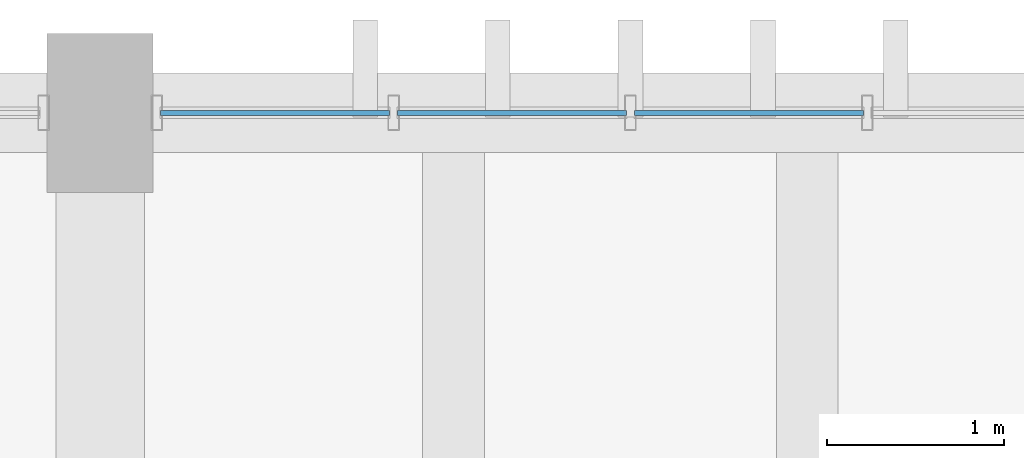
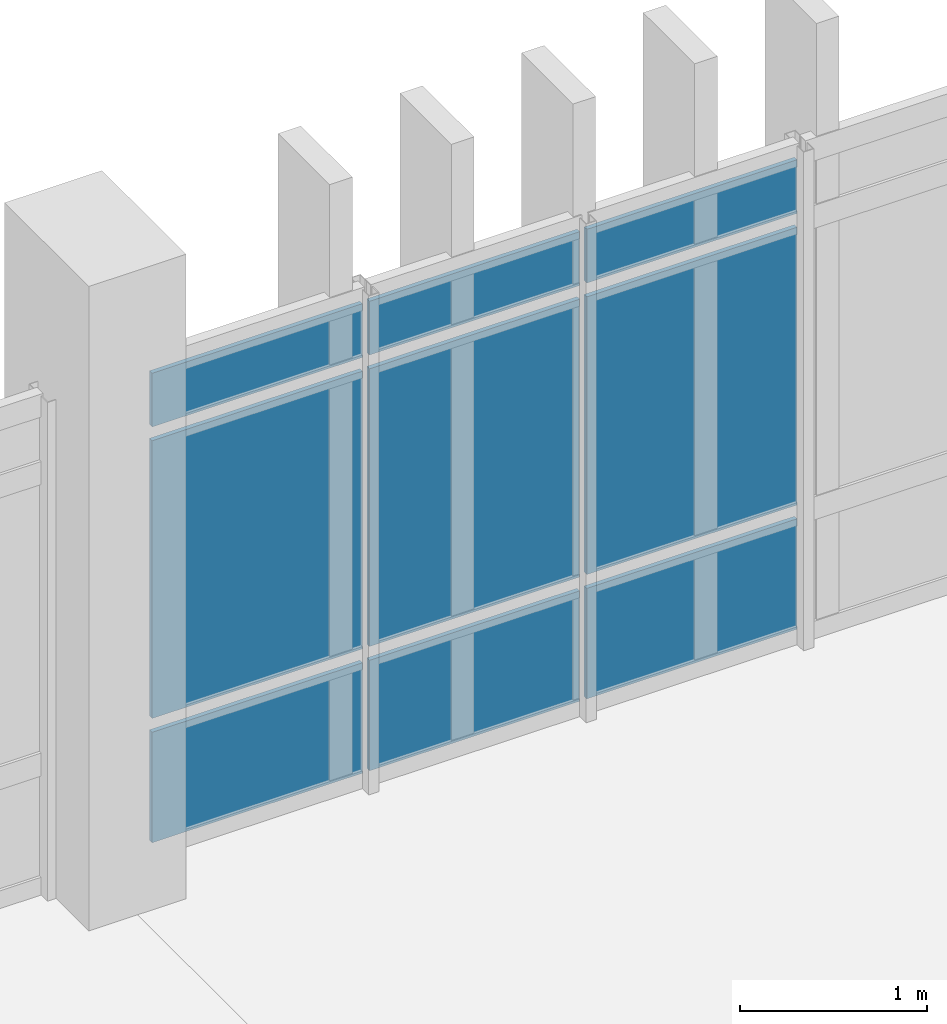
# One storey, part 135 of 161: 9 plates, 1 element without a shape of its own.
"""IFC4 building model written with IfcOpenShell, lengths in metres."""

from ifc_helpers import new_model, si_unit, direction, frame, origin, origin_2d, place, context, subcontext, project, spatial, rectangle, extrude, material, layer, layer_set, type_object, element, aggregate, save


model = new_model("IFC4")

# Units and contexts
model_context = context("Model", 3, precision=1e-05, world=origin(), true_north=direction((0.0, 1.0)))
body_context = subcontext(model_context, "Body", "Model", "MODEL_VIEW")
ifc_project = project(units=[si_unit("LENGTHUNIT", "METRE"), si_unit("AREAUNIT", "SQUARE_METRE"), si_unit("VOLUMEUNIT", "CUBIC_METRE"), si_unit("PLANEANGLEUNIT", "RADIAN"), si_unit("MASSUNIT", "GRAM", prefix="KILO")], contexts=[model_context])

# Site, building, storey
site_placement = place(None, origin())
site = spatial("IfcSite", under=ifc_project, at=site_placement, CompositionType="ELEMENT")
building_placement = place(site_placement, origin())
building = spatial("IfcBuilding", under=site, at=building_placement, Name="Mersad Railyard Sports Hall", CompositionType="ELEMENT")
storey_placement = place(building_placement, frame((0.0, 0.0, 4.800048828125)))
storey = spatial("IfcBuildingStorey", under=building, at=storey_placement, Name="L01", CompositionType="ELEMENT", Elevation=4.800048828125)

# Curtain wall, plates
ifc_material_1 = material(Name="Aluminium 6063-T6", Category="aluminium")
ifc_layer_1 = layer(ifc_material_1, 0.199951171875)
ifc_layer_set_1 = layer_set([ifc_layer_1], Name="Aluminium 6063-T6")
curtain_wall_type = type_object("IfcCurtainWallType", Name="ARC-CW-CW36", PredefinedType="USERDEFINED", material=ifc_layer_set_1)
curtain_wall_placement = place(storey_placement, origin())
curtain_wall = element("IfcCurtainWall", 1, at=curtain_wall_placement, inside=storey, type_object=curtain_wall_type, Name="Curtain wall CW36-0100", ObjectType="CURTAIN WALL", PredefinedType="USERDEFINED")
ifc_material_2 = material(Name="Solar-control glass", Category="glass")
ifc_layer_2 = layer(ifc_material_2, 0.028076171875)
ifc_layer_set_2 = layer_set([ifc_layer_2], Name="Solar-control glass")
plate_type = type_object("IfcPlateType", Name="ARC-CW-PNL01", PredefinedType="CURTAIN_PANEL", material=ifc_layer_set_2)
plate_1_placement = place(storey_placement, frame((131.989990234375, 115.0, 0.0849609375), z_axis=(0.0, 0.0, 1.0), x_axis=(1.0, 0.0, 0.0)))
plate_1 = element("IfcPlate", 2, at=plate_1_placement, type_object=plate_type, Name="CW36 Glazed panel 1-1", PredefinedType="CURTAIN_PANEL", context=body_context, shape_type="SweptSolid", body=[
    extrude(rectangle(XDim=1.2958984375, YDim=0.028076171875, at=origin_2d()), origin(), (0.0, 0.0, 1.0), 0.719970703125),
])
plate_2_placement = place(storey_placement, frame((131.989990234375, 115.0, 0.89501953125), z_axis=(0.0, 0.0, 1.0), x_axis=(1.0, 0.0, 0.0)))
plate_2 = element("IfcPlate", 3, at=plate_2_placement, type_object=plate_type, Name="CW36 Glazed panel 1-2", PredefinedType="CURTAIN_PANEL", context=body_context, shape_type="SweptSolid", body=[
    extrude(rectangle(XDim=1.2958984375, YDim=0.028076171875, at=origin_2d()), origin(), (0.0, 0.0, 1.0), 1.81005859375),
])
plate_3_placement = place(storey_placement, frame((131.989990234375, 115.0, 2.794921875), z_axis=(0.0, 0.0, 1.0), x_axis=(1.0, 0.0, 0.0)))
plate_3 = element("IfcPlate", 4, at=plate_3_placement, type_object=plate_type, Name="CW36 Glazed panel 1-3", PredefinedType="CURTAIN_PANEL", context=body_context, shape_type="SweptSolid", body=[
    extrude(rectangle(XDim=1.2958984375, YDim=0.028076171875, at=origin_2d()), origin(), (0.0, 0.0, 1.0), 0.35009765625),
])
plate_4_placement = place(storey_placement, frame((133.330078125, 115.0, 0.0849609375), z_axis=(0.0, 0.0, 1.0), x_axis=(1.0, 0.0, 0.0)))
plate_4 = element("IfcPlate", 5, at=plate_4_placement, type_object=plate_type, Name="CW36 Glazed panel 2-1", PredefinedType="CURTAIN_PANEL", context=body_context, shape_type="SweptSolid", body=[
    extrude(rectangle(XDim=1.2958984375, YDim=0.028076171875, at=origin_2d()), origin(), (0.0, 0.0, 1.0), 0.719970703125),
])
plate_5_placement = place(storey_placement, frame((133.330078125, 115.0, 0.89501953125), z_axis=(0.0, 0.0, 1.0), x_axis=(1.0, 0.0, 0.0)))
plate_5 = element("IfcPlate", 6, at=plate_5_placement, type_object=plate_type, Name="CW36 Glazed panel 2-2", PredefinedType="CURTAIN_PANEL", context=body_context, shape_type="SweptSolid", body=[
    extrude(rectangle(XDim=1.2958984375, YDim=0.028076171875, at=origin_2d()), origin(), (0.0, 0.0, 1.0), 1.81005859375),
])
plate_6_placement = place(storey_placement, frame((133.330078125, 115.0, 2.794921875), z_axis=(0.0, 0.0, 1.0), x_axis=(1.0, 0.0, 0.0)))
plate_6 = element("IfcPlate", 7, at=plate_6_placement, type_object=plate_type, Name="CW36 Glazed panel 2-3", PredefinedType="CURTAIN_PANEL", context=body_context, shape_type="SweptSolid", body=[
    extrude(rectangle(XDim=1.2958984375, YDim=0.028076171875, at=origin_2d()), origin(), (0.0, 0.0, 1.0), 0.35009765625),
])
plate_7_placement = place(storey_placement, frame((134.669921875, 115.0, 0.0849609375), z_axis=(0.0, 0.0, 1.0), x_axis=(1.0, 0.0, 0.0)))
plate_7 = element("IfcPlate", 8, at=plate_7_placement, type_object=plate_type, Name="CW36 Glazed panel 3-1", PredefinedType="CURTAIN_PANEL", context=body_context, shape_type="SweptSolid", body=[
    extrude(rectangle(XDim=1.2958984375, YDim=0.028076171875, at=origin_2d()), origin(), (0.0, 0.0, 1.0), 0.719970703125),
])
plate_8_placement = place(storey_placement, frame((134.669921875, 115.0, 0.89501953125), z_axis=(0.0, 0.0, 1.0), x_axis=(1.0, 0.0, 0.0)))
plate_8 = element("IfcPlate", 9, at=plate_8_placement, type_object=plate_type, Name="CW36 Glazed panel 3-2", PredefinedType="CURTAIN_PANEL", context=body_context, shape_type="SweptSolid", body=[
    extrude(rectangle(XDim=1.2958984375, YDim=0.028076171875, at=origin_2d()), origin(), (0.0, 0.0, 1.0), 1.81005859375),
])
plate_9_placement = place(storey_placement, frame((134.669921875, 115.0, 2.794921875), z_axis=(0.0, 0.0, 1.0), x_axis=(1.0, 0.0, 0.0)))
plate_9 = element("IfcPlate", 10, at=plate_9_placement, type_object=plate_type, Name="CW36 Glazed panel 3-3", PredefinedType="CURTAIN_PANEL", context=body_context, shape_type="SweptSolid", body=[
    extrude(rectangle(XDim=1.2958984375, YDim=0.028076171875, at=origin_2d()), origin(), (0.0, 0.0, 1.0), 0.35009765625),
])
aggregate(curtain_wall, [plate_1, plate_2, plate_3, plate_4, plate_5, plate_6, plate_7, plate_8, plate_9])

save(model, "model.ifc")
